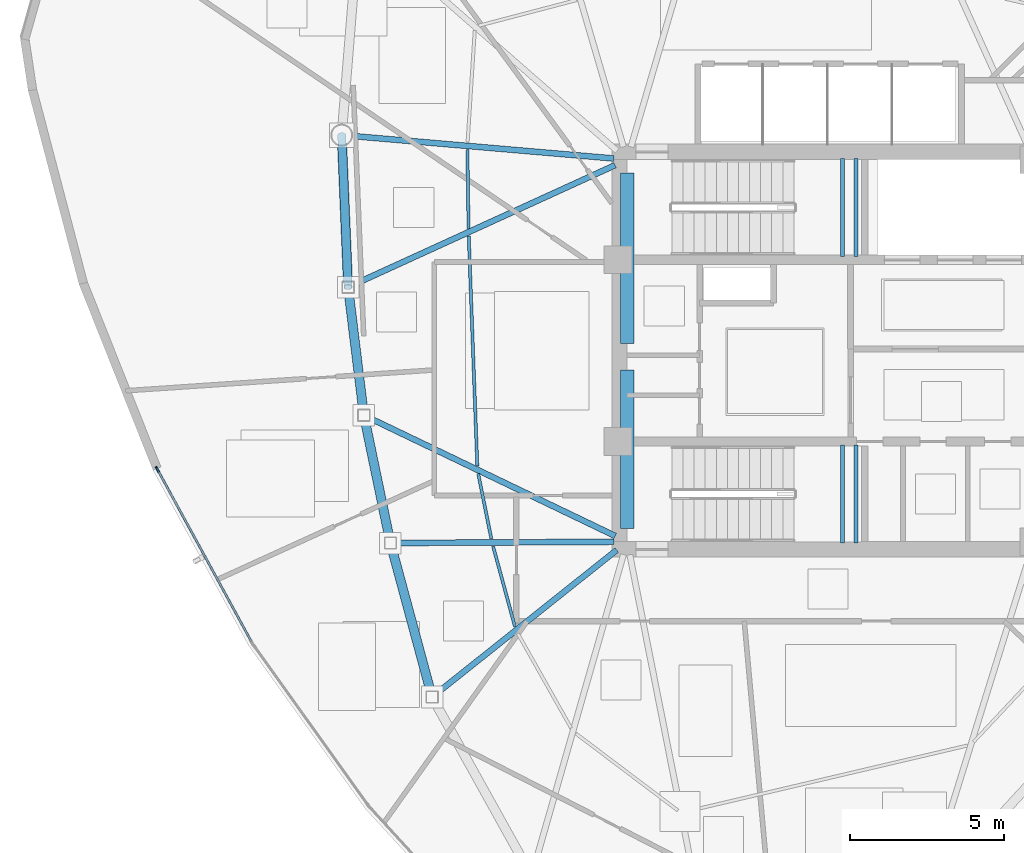
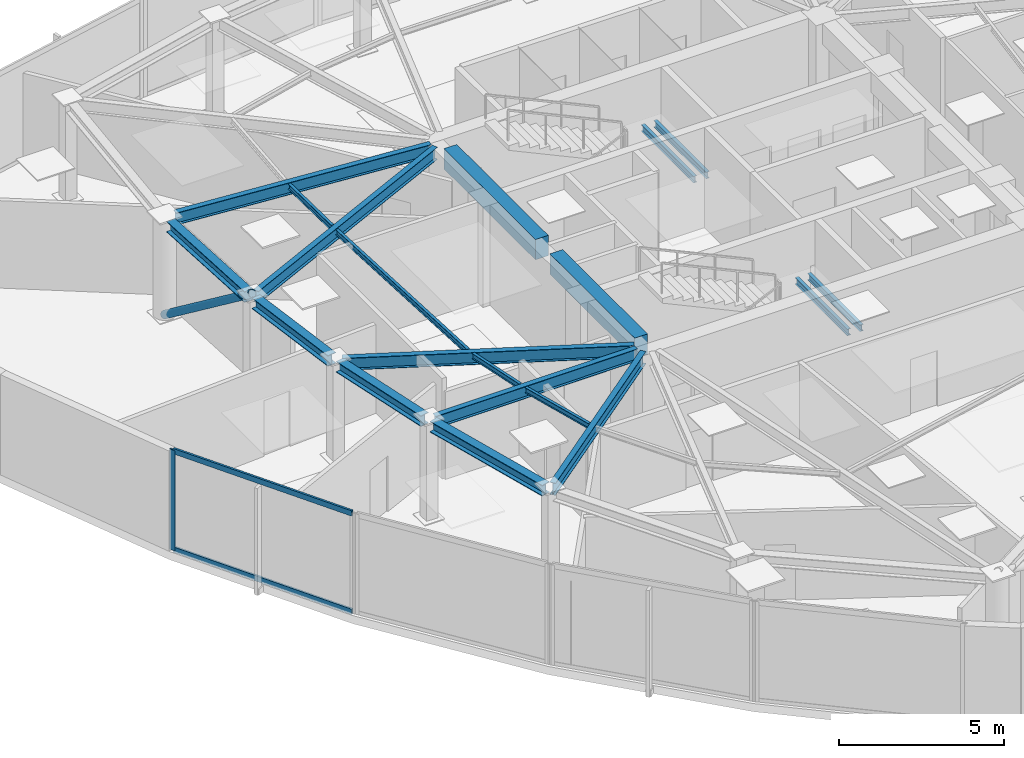
# One storey, part 3 of 13: 19 beams, 4 members, 1 element without a shape of its own.
"""IFC4 building model written with IfcOpenShell, lengths in metres."""

from ifc_helpers import new_model, si_unit, direction, frame, origin, origin_2d, place, context, subcontext, project, spatial, rectangle, hollow_rectangle, hollow_circle, i_section, extrude, source, transform, mapped, material, layer, layer_set, material_profile, profile_set, type_object, type_shapes, element, aggregate, save


model = new_model("IFC4")

# Units and contexts
model_context = context("Model", 3, precision=1e-05, world=origin(), true_north=direction((0.0, 1.0)))
body_context = subcontext(model_context, "Body", "Model", "MODEL_VIEW")
ifc_project = project(units=[si_unit("LENGTHUNIT", "METRE"), si_unit("AREAUNIT", "SQUARE_METRE"), si_unit("VOLUMEUNIT", "CUBIC_METRE"), si_unit("PLANEANGLEUNIT", "RADIAN"), si_unit("MASSUNIT", "GRAM", prefix="KILO")], contexts=[model_context])

# Site, building, storey
site_placement = place(None, origin())
site = spatial("IfcSite", under=ifc_project, at=site_placement, CompositionType="ELEMENT")
building_placement = place(site_placement, origin())
building = spatial("IfcBuilding", under=site, at=building_placement, Name="Tavelor Broadcast Tower", CompositionType="ELEMENT")
storey_placement = place(building_placement, frame((0.0, 0.0, 305.5)))
storey = spatial("IfcBuildingStorey", under=building, at=storey_placement, Name="L73", CompositionType="ELEMENT", Elevation=305.5)

# Beams
ifc_material_1 = material(Name="Concrete C40/50", Category="concrete")
ifc_material_profile_1 = material_profile(ifc_material_1, rectangle(XDim=0.449951171875, YDim=0.75, at=origin_2d()), Name="RC 450x750")
ifc_profile_set_1 = profile_set([ifc_material_profile_1], Name="Concrete C40/50")
beam_type_1 = type_object("IfcBeamType", Name="Basement Core Trim Beam 450x750", PredefinedType="BEAM", material=ifc_profile_set_1)
beam_1_placement = place(storey_placement, frame((43.39990234375, 45.23193359375, 3.324951171875), z_axis=(0.0, 1.0, 0.0), x_axis=(-1.0, 0.0, 0.0)))
element("IfcBeam", 1, at=beam_1_placement, inside=storey, type_object=beam_type_1, Name="L73 Core West-N Tie Girder", PredefinedType="BEAM", context=body_context, shape_type="SweptSolid", body=[
    extrude(rectangle(XDim=0.449951171875, YDim=0.75, at=origin_2d()), origin(), (0.0, 0.0, 1.0), 5.5361328125),
])
beam_2_placement = place(storey_placement, frame((43.39990234375, 39.23193359375, 3.324951171875), z_axis=(0.0, 1.0, 0.0), x_axis=(-1.0, 0.0, 0.0)))
element("IfcBeam", 2, at=beam_2_placement, inside=storey, type_object=beam_type_1, Name="L73 Core West-S Tie Girder", PredefinedType="BEAM", context=body_context, shape_type="SweptSolid", body=[
    extrude(rectangle(XDim=0.449951171875, YDim=0.75, at=origin_2d()), origin(), (0.0, 0.0, 1.0), 5.135986328125),
])
ifc_material_2 = material(Name="Steel S355", Category="steel")
ifc_material_profile_2 = material_profile(ifc_material_2, i_section(OverallWidth=0.10009765625, OverallDepth=0.199951171875, WebThickness=0.005615234375, FlangeThickness=0.008544921875, at=origin_2d()), Name="IPE 200")
ifc_profile_set_2 = profile_set([ifc_material_profile_2], Name="Steel S355")
beam_type_2 = type_object("IfcBeamType", Name="Composite Floor Joist T8 IPE 200", PredefinedType="JOIST", material=ifc_profile_set_2)
beam_3_placement = place(storey_placement, frame((38.21435546875, 51.521728515625, 3.60009765625), z_axis=(0.014168036859, -0.999899628329, 0.0), x_axis=(0.999899628329, 0.014168036859, 0.0)))
element("IfcBeam", 3, at=beam_3_placement, inside=storey, type_object=beam_type_2, Name="L73 Secondary Composite Floor Joist 01", PredefinedType="JOIST", context=body_context, shape_type="SweptSolid", body=[
    extrude(i_section(OverallWidth=0.10009765625, OverallDepth=0.199951171875, WebThickness=0.005615234375, FlangeThickness=0.008544921875, at=origin_2d()), origin(), (0.0, 0.0, 1.0), 2.55029296875),
])
beam_4_placement = place(storey_placement, frame((38.2568359375, 48.72412109375, 3.60009765625), z_axis=(0.037276284898, -0.999304997778, 0.0), x_axis=(0.999304997778, 0.037276284898, 0.0)))
element("IfcBeam", 4, at=beam_4_placement, inside=storey, type_object=beam_type_2, Name="L73 Secondary Composite Floor Joist 02", PredefinedType="JOIST", context=body_context, shape_type="SweptSolid", body=[
    extrude(i_section(OverallWidth=0.10009765625, OverallDepth=0.199951171875, WebThickness=0.005615234375, FlangeThickness=0.008544921875, at=origin_2d()), origin(), (0.0, 0.0, 1.0), 7.472900390625),
])
beam_5_placement = place(storey_placement, frame((38.564208984375, 41.011474609375, 3.60009765625), z_axis=(0.197508991617, -0.980301075298, 0.0), x_axis=(0.980301075298, 0.197508991617, 0.0)))
element("IfcBeam", 5, at=beam_5_placement, inside=storey, type_object=beam_type_2, Name="L73 Secondary Composite Floor Joist 03", PredefinedType="JOIST", context=body_context, shape_type="SweptSolid", body=[
    extrude(i_section(OverallWidth=0.10009765625, OverallDepth=0.199951171875, WebThickness=0.005615234375, FlangeThickness=0.008544921875, at=origin_2d()), origin(), (0.0, 0.0, 1.0), 2.156982421875),
])
beam_6_placement = place(storey_placement, frame((39.047119140625, 38.656005859375, 3.60009765625), z_axis=(0.262422477479, -0.964953078296, 0.0), x_axis=(0.964953078296, 0.262422477479, 0.0)))
element("IfcBeam", 6, at=beam_6_placement, inside=storey, type_object=beam_type_2, Name="L73 Secondary Composite Floor Joist 04", PredefinedType="JOIST", context=body_context, shape_type="SweptSolid", body=[
    extrude(i_section(OverallWidth=0.10009765625, OverallDepth=0.199951171875, WebThickness=0.005615234375, FlangeThickness=0.008544921875, at=origin_2d()), origin(), (0.0, 0.0, 1.0), 2.705322265625),
])
ifc_material_profile_3 = material_profile(ifc_material_2, i_section(OverallWidth=0.300048828125, OverallDepth=0.39990234375, WebThickness=0.013427734375, FlangeThickness=0.02392578125, at=origin_2d()), Name="HEB 400")
ifc_profile_set_3 = profile_set([ifc_material_profile_3], Name="Steel S355")
beam_type_3 = type_object("IfcBeamType", Name="Perimeter Spandrel Beam T8 HEB 400", PredefinedType="SPANDREL", material=ifc_profile_set_3)
beam_7_placement = place(storey_placement, frame((34.149169921875, 51.65478515625, 3.5), z_axis=(0.041837988246, -0.999124408039, 0.0), x_axis=(0.999124408039, 0.041837988246, 0.0)))
element("IfcBeam", 7, at=beam_7_placement, inside=storey, type_object=beam_type_3, Name="L73 Framed-Tube Ring Spandrel 01", PredefinedType="SPANDREL", context=body_context, shape_type="SweptSolid", body=[
    extrude(i_section(OverallWidth=0.300048828125, OverallDepth=0.39990234375, WebThickness=0.013427734375, FlangeThickness=0.02392578125, at=origin_2d()), origin(), (0.0, 0.0, 1.0), 4.40576171875),
])
beam_8_placement = place(storey_placement, frame((34.364990234375, 46.87060546875, 3.5), z_axis=(0.122298070905, -0.992493416529, 0.0), x_axis=(0.992493416529, 0.122298070905, 0.0)))
element("IfcBeam", 8, at=beam_8_placement, inside=storey, type_object=beam_type_3, Name="L73 Framed-Tube Ring Spandrel 02", PredefinedType="SPANDREL", context=body_context, shape_type="SweptSolid", body=[
    extrude(i_section(OverallWidth=0.300048828125, OverallDepth=0.39990234375, WebThickness=0.013427734375, FlangeThickness=0.02392578125, at=origin_2d()), origin(), (0.0, 0.0, 1.0), 3.806884765625),
])
beam_9_placement = place(storey_placement, frame((34.893310546875, 42.7138671875, 3.5), z_axis=(0.203708583251, -0.979031569006, 0.0), x_axis=(0.979031569006, 0.203708583251, 0.0)))
element("IfcBeam", 9, at=beam_9_placement, inside=storey, type_object=beam_type_3, Name="L73 Framed-Tube Ring Spandrel 03", PredefinedType="SPANDREL", context=body_context, shape_type="SweptSolid", body=[
    extrude(i_section(OverallWidth=0.300048828125, OverallDepth=0.39990234375, WebThickness=0.013427734375, FlangeThickness=0.02392578125, at=origin_2d()), origin(), (0.0, 0.0, 1.0), 3.849609375),
])
beam_10_placement = place(storey_placement, frame((35.7666015625, 38.57177734375, 3.5), z_axis=(0.261091192609, -0.965314140134, 0.0), x_axis=(0.965314140134, 0.261091192609, 0.0)))
element("IfcBeam", 10, at=beam_10_placement, inside=storey, type_object=beam_type_3, Name="L73 Framed-Tube Ring Spandrel 04", PredefinedType="SPANDREL", context=body_context, shape_type="SweptSolid", body=[
    extrude(i_section(OverallWidth=0.300048828125, OverallDepth=0.39990234375, WebThickness=0.013427734375, FlangeThickness=0.02392578125, at=origin_2d()), origin(), (0.0, 0.0, 1.0), 4.793212890625),
])

# Member
ifc_material_profile_4 = material_profile(ifc_material_2, hollow_circle(Radius=0.136474609375, WallThickness=0.012451171875, at=origin_2d()), Name="CHS 273x12.5")
ifc_profile_set_4 = profile_set([ifc_material_profile_4], Name="Steel S355")
member_type_1 = type_object("IfcMemberType", Name="Perimeter Tube Brace T8 CHS 273x12.5", PredefinedType="BRACE", material=ifc_profile_set_4)
member_1_placement = place(storey_placement, frame((34.134765625, 51.995849609375, 0.0), z_axis=(0.033508994779, -0.799626685339, 0.599561766095), x_axis=(0.999123106787, 0.041869051625, 0.0)))
element("IfcMember", 11, at=member_1_placement, inside=storey, type_object=member_type_1, Name="L73 Corner Tube Diagonal Brace 1", PredefinedType="BRACE", context=body_context, shape_type="SweptSolid", body=[
    extrude(hollow_circle(Radius=0.136474609375, WallThickness=0.012451171875, at=origin_2d()), origin(), (0.0, 0.0, 1.0), 6.171142578125),
])

# Beams
ifc_material_profile_5 = material_profile(ifc_material_2, i_section(OverallWidth=0.18994140625, OverallDepth=0.449951171875, WebThickness=0.009521484375, FlangeThickness=0.0146484375, at=origin_2d()), Name="IPE 450")
ifc_profile_set_5 = profile_set([ifc_material_profile_5], Name="Steel S355")
beam_type_4 = type_object("IfcBeamType", Name="Radial Floor Girder T8 IPE 450", PredefinedType="BEAM", material=ifc_profile_set_5)
beam_11_placement = place(storey_placement, frame((42.969482421875, 51.237060546875, 3.47509765625), z_axis=(-0.99633041069, 0.085590377581, 0.0), x_axis=(-0.085590377581, -0.99633041069, 0.0)))
element("IfcBeam", 12, at=beam_11_placement, inside=storey, type_object=beam_type_4, Name="L73 Radial Primary Floor Girder 01", PredefinedType="BEAM", context=body_context, shape_type="SweptSolid", body=[
    extrude(i_section(OverallWidth=0.18994140625, OverallDepth=0.449951171875, WebThickness=0.009521484375, FlangeThickness=0.0146484375, at=origin_2d()), origin(), (0.0, 0.0, 1.0), 8.52587890625),
])
beam_12_placement = place(storey_placement, frame((43.007080078125, 51.0205078125, 3.47509765625), z_axis=(-0.909563172595, -0.4155656808, 0.0), x_axis=(0.4155656808, -0.909563172595, 0.0)))
element("IfcBeam", 13, at=beam_12_placement, inside=storey, type_object=beam_type_4, Name="L73 Radial Primary Floor Girder 02", PredefinedType="BEAM", context=body_context, shape_type="SweptSolid", body=[
    extrude(i_section(OverallWidth=0.18994140625, OverallDepth=0.449951171875, WebThickness=0.009521484375, FlangeThickness=0.0146484375, at=origin_2d()), origin(), (0.0, 0.0, 1.0), 9.335205078125),
])
beam_13_placement = place(storey_placement, frame((43.010498046875, 38.98681640625, 3.47509765625), z_axis=(-0.901533812655, 0.432708660233, 0.0), x_axis=(-0.432708660233, -0.901533812655, 0.0)))
element("IfcBeam", 14, at=beam_13_placement, inside=storey, type_object=beam_type_4, Name="L73 Radial Primary Floor Girder 03", PredefinedType="BEAM", context=body_context, shape_type="SweptSolid", body=[
    extrude(i_section(OverallWidth=0.18994140625, OverallDepth=0.449951171875, WebThickness=0.009521484375, FlangeThickness=0.0146484375, at=origin_2d()), origin(), (0.0, 0.0, 1.0), 8.85546875),
])
beam_14_placement = place(storey_placement, frame((42.968017578125, 38.797607421875, 3.47509765625), z_axis=(-0.999984499874, -0.005567765406, 0.0), x_axis=(0.005567765406, -0.999984499874, 0.0)))
element("IfcBeam", 15, at=beam_14_placement, inside=storey, type_object=beam_type_4, Name="L73 Radial Primary Floor Girder 04", PredefinedType="BEAM", context=body_context, shape_type="SweptSolid", body=[
    extrude(i_section(OverallWidth=0.18994140625, OverallDepth=0.449951171875, WebThickness=0.009521484375, FlangeThickness=0.0146484375, at=origin_2d()), origin(), (0.0, 0.0, 1.0), 7.0595703125),
])
beam_15_placement = place(storey_placement, frame((43.06201171875, 38.531005859375, 3.47509765625), z_axis=(-0.782378063296, -0.622803794203, 0.0), x_axis=(0.622803794203, -0.782378063296, 0.0)))
element("IfcBeam", 16, at=beam_15_placement, inside=storey, type_object=beam_type_4, Name="L73 Radial Primary Floor Girder 05", PredefinedType="BEAM", context=body_context, shape_type="SweptSolid", body=[
    extrude(i_section(OverallWidth=0.18994140625, OverallDepth=0.449951171875, WebThickness=0.009521484375, FlangeThickness=0.0146484375, at=origin_2d()), origin(), (0.0, 0.0, 1.0), 7.46923828125),
])
ifc_material_profile_6 = material_profile(ifc_material_2, i_section(OverallWidth=0.1201171875, OverallDepth=0.239990234375, WebThickness=0.006103515625, FlangeThickness=0.009765625, at=origin_2d()), Name="IPE 240")
ifc_profile_set_6 = profile_set([ifc_material_profile_6], Name="Steel S355")
beam_type_5 = type_object("IfcBeamType", Name="Stairwell Landing Support Trimmer Beam IPE240", PredefinedType="BEAM", material=ifc_profile_set_6)
for number, where, z_axis, x_axis, name in (
    (17, (50.385009765625, 48.06005859375, 1.68505859375), (0.0, 1.0, 0.0), (-1.0, 0.0, 0.0), "L73 Stair Landing Support Beam 187"),
    (18, (50.824951171875, 48.06005859375, 1.68505859375), (0.0, 1.0, 0.0), (-1.0, 0.0, 0.0), "L73 Stair Landing Support Beam 188"),
    (19, (50.385009765625, 38.760009765625, 1.68505859375), (0.0, 1.0, 0.0), (-1.0, 0.0, 0.0), "L73 Stair Landing Support Beam 401"),
    (20, (50.824951171875, 38.760009765625, 1.68505859375), (0.0, 1.0, 0.0), (-1.0, 0.0, 0.0), "L73 Stair Landing Support Beam 402"),
):
    element("IfcBeam", number, at=place(storey_placement, frame(where, z_axis=z_axis, x_axis=x_axis)), inside=storey, type_object=beam_type_5, Name=name, PredefinedType="BEAM", context=body_context, shape_type="SweptSolid", body=[
        extrude(i_section(OverallWidth=0.1201171875, OverallDepth=0.239990234375, WebThickness=0.006103515625, FlangeThickness=0.009765625, at=origin_2d()), origin(), (0.0, 0.0, 1.0), 3.179931640625),
    ])

# Curtain wall, members
ifc_material_3 = material(Name="Architectural Anodized Aluminium", Category="aluminium")
ifc_layer = layer(ifc_material_3, 0.199951171875)
ifc_layer_set = layer_set([ifc_layer], Name="Architectural Anodized Aluminium")
curtain_wall_type = type_object("IfcCurtainWallType", Name="Tower High-Zone Triple-Glazed Curtain Wall CW04", PredefinedType="NOTDEFINED", material=ifc_layer_set)
curtain_wall_placement = place(storey_placement, origin())
curtain_wall = element("IfcCurtainWall", 21, at=curtain_wall_placement, inside=storey, type_object=curtain_wall_type, Name="L73 Curtain Wall CW04 Run 805", PredefinedType="NOTDEFINED")
ifc_material_profile_7 = material_profile(ifc_material_3, hollow_rectangle(XDim=0.070068359375, YDim=0.199951171875, WallThickness=0.02197265625, at=origin_2d()), Name="RHS 70x200x22")
ifc_profile_set_7 = profile_set([ifc_material_profile_7], Name="Architectural Anodized Aluminium")
member_type_2 = type_object("IfcMemberType", Name="CW04 Extruded Aluminium Mullion 70x200", PredefinedType="MULLION", material=ifc_profile_set_7)
shared_shape_1 = source(origin(), body_context, "Body", "SweptSolid", [
    extrude(hollow_rectangle(XDim=0.070068359375, YDim=0.199951171875, WallThickness=0.02197265625, at=origin_2d()), origin(), (0.0, 0.0, 1.0), 3.699951171875),
])
type_shapes(member_type_2, [shared_shape_1])
member_2_placement = place(storey_placement, frame((28.152587890625, 41.147705078125, 0.0), z_axis=(0.0, 0.0, 1.0), x_axis=(0.877785603762, 0.479053685747, 0.0)))
member_2 = element("IfcMember", 22, at=member_2_placement, type_object=member_type_2, Name="CW04 mullion 1", PredefinedType="MULLION", context=body_context, shape_type="MappedRepresentation", body=[
    mapped(shared_shape_1, transform((0.0, 0.0, 0.0), scale=1.0)),
])
ifc_material_profile_8 = material_profile(ifc_material_3, hollow_rectangle(XDim=0.070068359375, YDim=0.199951171875, WallThickness=0.02197265625, at=origin_2d()), Name="RHS 70x200x22")
ifc_profile_set_8 = profile_set([ifc_material_profile_8], Name="Architectural Anodized Aluminium")
member_type_3 = type_object("IfcMemberType", Name="CW04 Extruded Aluminium Transom 70x200", PredefinedType="USERDEFINED", material=ifc_profile_set_8)
shared_shape_2 = source(origin(), body_context, "Body", "SweptSolid", [
    extrude(hollow_rectangle(XDim=0.070068359375, YDim=0.199951171875, WallThickness=0.02197265625, at=origin_2d()), origin(), (0.0, 0.0, 1.0), 6.3251953125),
])
type_shapes(member_type_3, [shared_shape_2])
member_3_placement = place(storey_placement, frame((28.169189453125, 41.116943359375, 0.034912109375), z_axis=(0.47908468833, -0.877768683315, 0.0), x_axis=(0.877768683315, 0.47908468833, 0.0)))
member_3 = element("IfcMember", 23, at=member_3_placement, type_object=member_type_3, Name="CW04 transom 1.1", ObjectType="TRANSOM", PredefinedType="USERDEFINED", context=body_context, shape_type="MappedRepresentation", body=[
    mapped(shared_shape_2, transform((0.0, 0.0, 0.0), scale=1.0)),
])
member_4_placement = place(storey_placement, frame((28.169189453125, 41.116943359375, 3.6650390625), z_axis=(0.47908468833, -0.877768683315, 0.0), x_axis=(0.877768683315, 0.47908468833, 0.0)))
member_4 = element("IfcMember", 24, at=member_4_placement, type_object=member_type_3, Name="CW04 transom 1.2", ObjectType="TRANSOM", PredefinedType="USERDEFINED", context=body_context, shape_type="MappedRepresentation", body=[
    mapped(shared_shape_2, transform((0.0, 0.0, 0.0), scale=1.0)),
])
aggregate(curtain_wall, [member_2, member_3, member_4])

save(model, "model.ifc")
